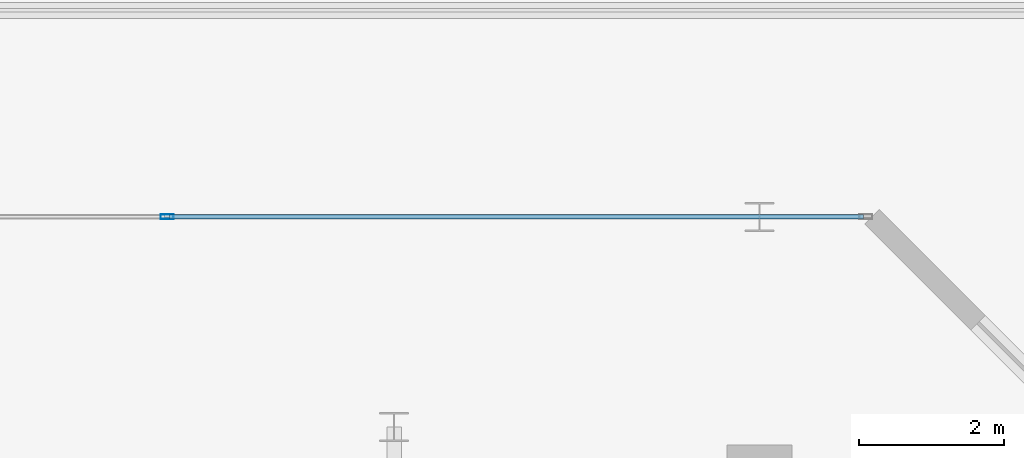
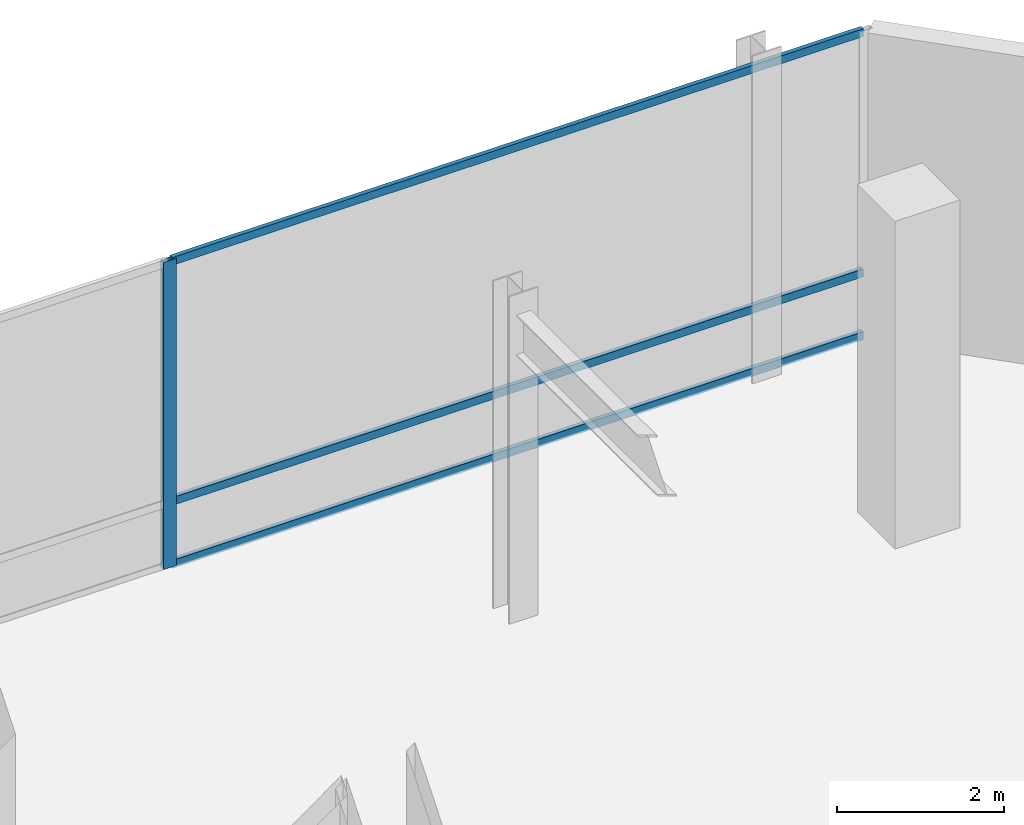
# One storey, part 20 of 39: 4 members, 1 element without a shape of its own.
"""IFC4 building model written with IfcOpenShell, lengths in metres."""

from ifc_helpers import new_model, si_unit, direction, frame, origin, origin_2d, place, context, subcontext, project, spatial, hollow_rectangle, extrude, material, layer, layer_set, material_profile, profile_set, type_object, element, aggregate, save


model = new_model("IFC4")

# Units and contexts
model_context = context("Model", 3, precision=1e-05, world=origin(), true_north=direction((0.0, 1.0)))
body_context = subcontext(model_context, "Body", "Model", "MODEL_VIEW")
ifc_project = project(units=[si_unit("LENGTHUNIT", "METRE"), si_unit("AREAUNIT", "SQUARE_METRE"), si_unit("VOLUMEUNIT", "CUBIC_METRE"), si_unit("PLANEANGLEUNIT", "RADIAN"), si_unit("MASSUNIT", "GRAM", prefix="KILO")], contexts=[model_context])

# Site, building, storey
site_placement = place(None, origin())
site = spatial("IfcSite", under=ifc_project, at=site_placement, CompositionType="ELEMENT")
building_placement = place(site_placement, origin())
building = spatial("IfcBuilding", under=site, at=building_placement, Name="Qianvela Tower", CompositionType="ELEMENT")
storey_placement = place(building_placement, frame((0.0, 0.0, 15.800048828125)))
storey = spatial("IfcBuildingStorey", under=building, at=storey_placement, Name="L03", CompositionType="ELEMENT", Elevation=15.800048828125)

# Curtain wall, members
ifc_material_1 = material(Name="Anodised Architectural Aluminium and Low-E Glass", Category="aluminium")
ifc_layer = layer(ifc_material_1, 0.179931640625)
ifc_layer_set = layer_set([ifc_layer], Name="Anodised Architectural Aluminium and Low-E Glass")
curtain_wall_type = type_object("IfcCurtainWallType", Name="CW-COMMONS", PredefinedType="USERDEFINED", material=ifc_layer_set)
curtain_wall_placement = place(storey_placement, origin())
curtain_wall = element("IfcCurtainWall", 1, at=curtain_wall_placement, inside=storey, type_object=curtain_wall_type, Name="L03 CW-COMMONS Curtain Wall 05", ObjectType="CURTAIN_WALL_SYSTEM", PredefinedType="USERDEFINED")
ifc_material_2 = material(Name="Anodised Architectural Aluminium 6063-T6", Category="aluminium")
ifc_material_profile_1 = material_profile(ifc_material_2, hollow_rectangle(XDim=0.070068359375, YDim=0.179931640625, WallThickness=0.0048828125, at=origin_2d()), Name="ALU-MULL-70x180")
ifc_profile_set_1 = profile_set([ifc_material_profile_1], Name="Anodised Architectural Aluminium 6063-T6")
member_type_1 = type_object("IfcMemberType", Name="CW-COMMONS-MULL", PredefinedType="MULLION", material=ifc_profile_set_1)
member_1_placement = place(storey_placement, frame((56.86669921875, 47.5, 0.0), z_axis=(0.0, 0.0, 1.0), x_axis=(0.0, -1.0, 0.0)))
member_1 = element("IfcMember", 2, at=member_1_placement, type_object=member_type_1, Name="CW-2 mullion 2", PredefinedType="MULLION", context=body_context, shape_type="SweptSolid", body=[
    extrude(hollow_rectangle(XDim=0.070068359375, YDim=0.179931640625, WallThickness=0.0048828125, at=origin_2d()), origin(), (0.0, 0.0, 1.0), 4.5),
])
ifc_material_3 = material(Name="Anodised Architectural Aluminium 6063-T6", Category="aluminium")
ifc_material_profile_2 = material_profile(ifc_material_3, hollow_rectangle(XDim=0.06005859375, YDim=0.114990234375, WallThickness=0.00390625, at=origin_2d()), Name="ALU-TRAN-60x115")
ifc_profile_set_2 = profile_set([ifc_material_profile_2], Name="Anodised Architectural Aluminium 6063-T6")
member_type_2 = type_object("IfcMemberType", Name="CW-COMMONS-TRAN", PredefinedType="USERDEFINED", material=ifc_profile_set_2)
member_2_placement = place(storey_placement, frame((66.47998046875, 47.5, 0.030029296875), z_axis=(-1.0, 0.0, 0.0), x_axis=(0.0, -1.0, 0.0)))
member_2 = element("IfcMember", 3, at=member_2_placement, type_object=member_type_2, Name="CW-2 transom 1.1", ObjectType="TRANSOM", PredefinedType="USERDEFINED", context=body_context, shape_type="SweptSolid", body=[
    extrude(hollow_rectangle(XDim=0.06005859375, YDim=0.114990234375, WallThickness=0.00390625, at=origin_2d()), origin(), (0.0, 0.0, 1.0), 9.578369140625),
])
member_3_placement = place(storey_placement, frame((66.47998046875, 47.5, 0.949951171875), z_axis=(-1.0, 0.0, 0.0), x_axis=(0.0, -1.0, 0.0)))
member_3 = element("IfcMember", 4, at=member_3_placement, type_object=member_type_2, Name="CW-2 transom 1.2", ObjectType="TRANSOM", PredefinedType="USERDEFINED", context=body_context, shape_type="SweptSolid", body=[
    extrude(hollow_rectangle(XDim=0.06005859375, YDim=0.114990234375, WallThickness=0.00390625, at=origin_2d()), origin(), (0.0, 0.0, 1.0), 9.578369140625),
])
member_4_placement = place(storey_placement, frame((66.47998046875, 47.5, 4.469970703125), z_axis=(-1.0, 0.0, 0.0), x_axis=(0.0, -1.0, 0.0)))
member_4 = element("IfcMember", 5, at=member_4_placement, type_object=member_type_2, Name="CW-2 transom 1.3", ObjectType="TRANSOM", PredefinedType="USERDEFINED", context=body_context, shape_type="SweptSolid", body=[
    extrude(hollow_rectangle(XDim=0.06005859375, YDim=0.114990234375, WallThickness=0.00390625, at=origin_2d()), origin(), (0.0, 0.0, 1.0), 9.578369140625),
])
aggregate(curtain_wall, [member_1, member_2, member_3, member_4])

save(model, "model.ifc")
